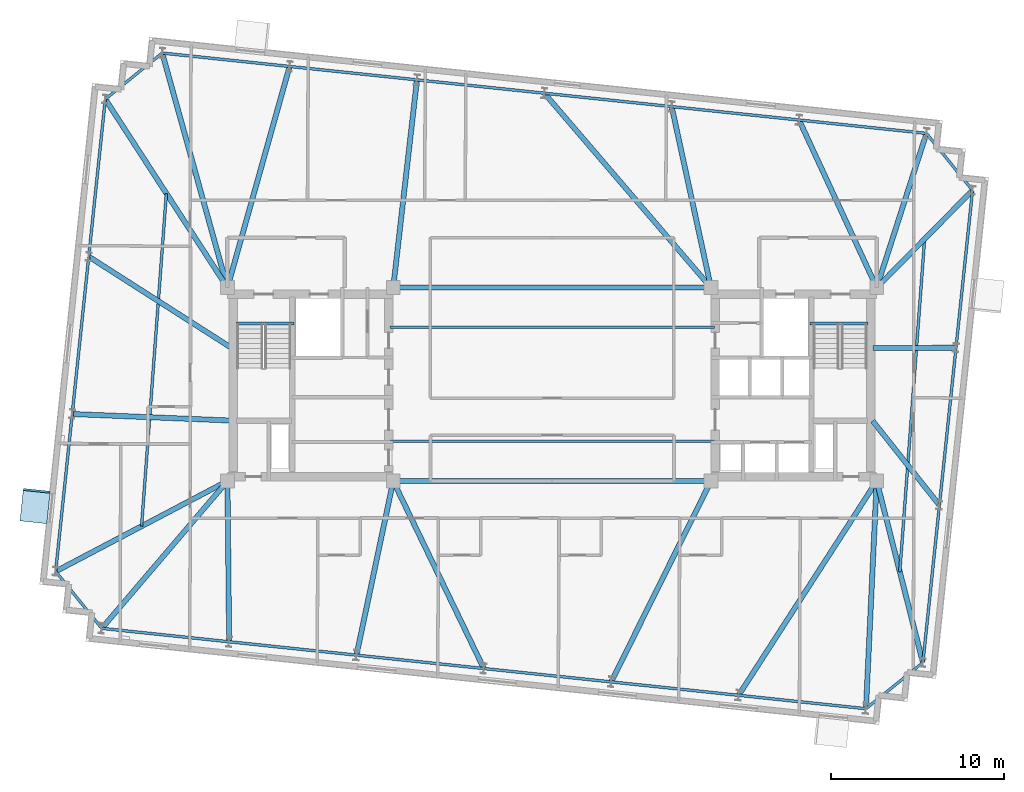
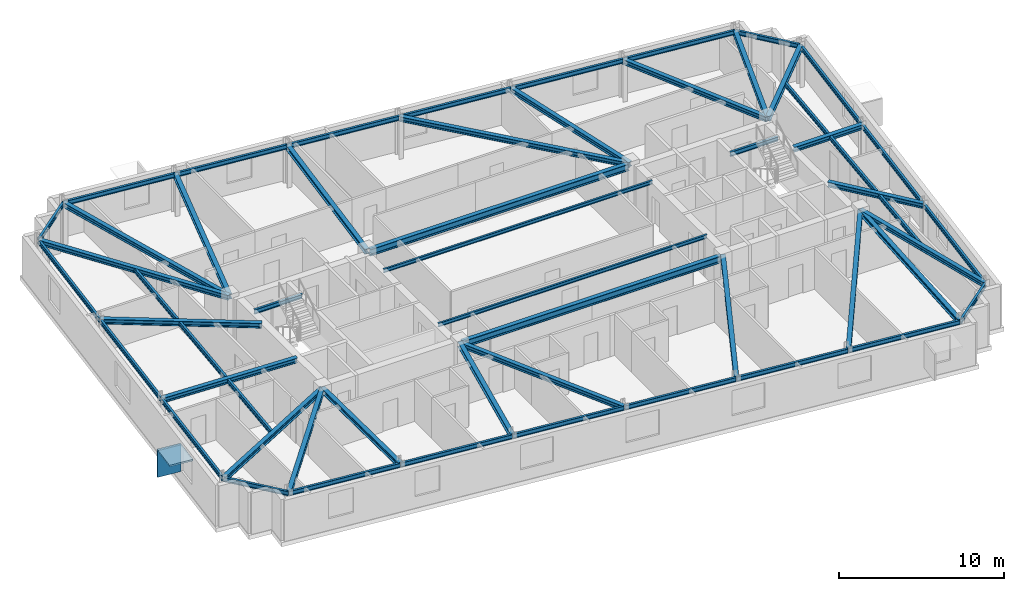
# One storey, part 4 of 11: 52 beams, 2 plates.
"""IFC4 building model written with IfcOpenShell, lengths in metres."""

from ifc_helpers import new_model, si_unit, direction, frame, origin, origin_2d, place, context, subcontext, project, spatial, rectangle, i_section, extrude, material, layer, layer_set, material_profile, profile_set, type_object, element, save


model = new_model("IFC4")

# Units and contexts
model_context = context("Model", 3, precision=1e-05, world=origin(), true_north=direction((0.0, 1.0)))
body_context = subcontext(model_context, "Body", "Model", "MODEL_VIEW")
ifc_project = project(units=[si_unit("LENGTHUNIT", "METRE"), si_unit("AREAUNIT", "SQUARE_METRE"), si_unit("VOLUMEUNIT", "CUBIC_METRE"), si_unit("PLANEANGLEUNIT", "RADIAN"), si_unit("MASSUNIT", "GRAM", prefix="KILO")], contexts=[model_context])

# Site, building, storey
site_placement = place(None, origin())
site = spatial("IfcSite", under=ifc_project, at=site_placement, CompositionType="ELEMENT")
building_placement = place(site_placement, origin())
building = spatial("IfcBuilding", under=site, at=building_placement, Name="Qobustan Lattice House", CompositionType="ELEMENT")
storey_placement = place(building_placement, frame((0.0, 0.0, 213.14990234375)))
storey = spatial("IfcBuildingStorey", under=building, at=storey_placement, Name="L60", CompositionType="ELEMENT", Elevation=213.14990234375)

# Beams
ifc_material_1 = material(Name="Steel S355", Category="steel")
ifc_material_profile_1 = material_profile(ifc_material_1, i_section(OverallWidth=0.300048828125, OverallDepth=0.5, WebThickness=0.014404296875, FlangeThickness=0.028076171875, FilletRadius=0.027099609375, at=origin_2d()), Name="HEB500")
ifc_profile_set_1 = profile_set([ifc_material_profile_1], Name="Steel S355")
beam_type_1 = type_object("IfcBeamType", Name="BM-CG-HEB500", PredefinedType="USERDEFINED", material=ifc_profile_set_1)
for number, where, z_axis, x_axis, name in (
    (1, (-9.050048828125, -5.60009765625, 2.7900390625), (1.0, 0.0, 0.0), (0.0, 1.0, 0.0), "L60 core spine girder CG-CS"),
    (2, (-9.050048828125, 5.60009765625, 2.7900390625), (1.0, 0.0, 0.0), (0.0, 1.0, 0.0), "L60 core spine girder CG-CN"),
):
    element("IfcBeam", number, at=place(storey_placement, frame(where, z_axis=z_axis, x_axis=x_axis)), inside=storey, type_object=beam_type_1, Name=name, ObjectType="GIRDER", PredefinedType="USERDEFINED", context=body_context, shape_type="SweptSolid", body=[
        extrude(i_section(OverallWidth=0.300048828125, OverallDepth=0.5, WebThickness=0.014404296875, FlangeThickness=0.028076171875, FilletRadius=0.027099609375, at=origin_2d()), origin(), (0.0, 0.0, 1.0), 18.10009765625),
    ])
ifc_material_2 = material(Name="Steel S355", Category="steel")
ifc_material_profile_2 = material_profile(ifc_material_2, i_section(OverallWidth=0.300048828125, OverallDepth=0.360107421875, WebThickness=0.012451171875, FlangeThickness=0.0224609375, FilletRadius=0.027099609375, at=origin_2d()), Name="HEB360")
ifc_profile_set_2 = profile_set([ifc_material_profile_2], Name="Steel S355")
beam_type_2 = type_object("IfcBeamType", Name="BM-FLG-HEB360", PredefinedType="USERDEFINED", material=ifc_profile_set_2)
beam_1_placement = place(storey_placement, frame((-26.062744140625, -14.113525390625, 2.860107421875), z_axis=(0.649006911642, 0.760782510736, 0.0), x_axis=(-0.760782510736, 0.649006911642, 0.0)))
element("IfcBeam", 3, at=beam_1_placement, inside=storey, type_object=beam_type_2, Name="L60 primary floor girder RAD-S1W", ObjectType="GIRDER", PredefinedType="USERDEFINED", context=body_context, shape_type="SweptSolid", body=[
    extrude(i_section(OverallWidth=0.300048828125, OverallDepth=0.360107421875, WebThickness=0.012451171875, FlangeThickness=0.0224609375, FilletRadius=0.027099609375, at=origin_2d()), origin(), (0.0, 0.0, 1.0), 11.16552734375),
])
beam_2_placement = place(storey_placement, frame((-18.703125, -14.8828125, 2.860107421875), z_axis=(-0.010442468578, 0.999945475939, 0.0), x_axis=(-0.999945475939, -0.010442468578, 0.0)))
element("IfcBeam", 4, at=beam_2_placement, inside=storey, type_object=beam_type_2, Name="L60 primary floor girder RAD-S2", ObjectType="GIRDER", PredefinedType="USERDEFINED", context=body_context, shape_type="SweptSolid", body=[
    extrude(i_section(OverallWidth=0.300048828125, OverallDepth=0.360107421875, WebThickness=0.012451171875, FlangeThickness=0.0224609375, FilletRadius=0.027099609375, at=origin_2d()), origin(), (0.0, 0.0, 1.0), 9.25830078125),
])
beam_3_placement = place(storey_placement, frame((-11.32177734375, -15.658447265625, 2.860107421875), z_axis=(0.206411213198, 0.978465334627, 0.0), x_axis=(-0.978465334627, 0.206411213198, 0.0)))
element("IfcBeam", 5, at=beam_3_placement, inside=storey, type_object=beam_type_2, Name="L60 primary floor girder RAD-S3", ObjectType="GIRDER", PredefinedType="USERDEFINED", context=body_context, shape_type="SweptSolid", body=[
    extrude(i_section(OverallWidth=0.300048828125, OverallDepth=0.360107421875, WebThickness=0.012451171875, FlangeThickness=0.0224609375, FilletRadius=0.027099609375, at=origin_2d()), origin(), (0.0, 0.0, 1.0), 10.2548828125),
])
beam_4_placement = place(storey_placement, frame((-3.9619140625, -16.435791015625, 2.860107421875), z_axis=(-0.435229353302, 0.900319615483, 0.0), x_axis=(-0.900319615483, -0.435229353302, 0.0)))
element("IfcBeam", 6, at=beam_4_placement, inside=storey, type_object=beam_type_2, Name="L60 primary floor girder RAD-S4", ObjectType="GIRDER", PredefinedType="USERDEFINED", context=body_context, shape_type="SweptSolid", body=[
    extrude(i_section(OverallWidth=0.300048828125, OverallDepth=0.360107421875, WebThickness=0.012451171875, FlangeThickness=0.0224609375, FilletRadius=0.027099609375, at=origin_2d()), origin(), (0.0, 0.0, 1.0), 12.010498046875),
])
beam_5_placement = place(storey_placement, frame((3.436279296875, -17.211181640625, 2.860107421875), z_axis=(0.444630337125, 0.895714163843, 0.0), x_axis=(-0.895714163843, 0.444630337125, 0.0)))
element("IfcBeam", 7, at=beam_5_placement, inside=storey, type_object=beam_type_2, Name="L60 primary floor girder RAD-S5", ObjectType="GIRDER", PredefinedType="USERDEFINED", context=body_context, shape_type="SweptSolid", body=[
    extrude(i_section(OverallWidth=0.300048828125, OverallDepth=0.360107421875, WebThickness=0.012451171875, FlangeThickness=0.0224609375, FilletRadius=0.027099609375, at=origin_2d()), origin(), (0.0, 0.0, 1.0), 12.938232421875),
])
beam_6_placement = place(storey_placement, frame((10.814697265625, -17.98779296875, 2.860107421875), z_axis=(0.541810491961, 0.840500678644, 0.0), x_axis=(-0.840500678644, 0.541810491961, 0.0)))
element("IfcBeam", 8, at=beam_6_placement, inside=storey, type_object=beam_type_2, Name="L60 primary floor girder RAD-S6", ObjectType="GIRDER", PredefinedType="USERDEFINED", context=body_context, shape_type="SweptSolid", body=[
    extrude(i_section(OverallWidth=0.300048828125, OverallDepth=0.360107421875, WebThickness=0.012451171875, FlangeThickness=0.0224609375, FilletRadius=0.027099609375, at=origin_2d()), origin(), (0.0, 0.0, 1.0), 14.71337890625),
])
beam_7_placement = place(storey_placement, frame((18.178466796875, -18.759033203125, 2.860107421875), z_axis=(0.047180517312, 0.998886379318, 0.0), x_axis=(-0.998886379318, 0.047180517312, 0.0)))
element("IfcBeam", 9, at=beam_7_placement, inside=storey, type_object=beam_type_2, Name="L60 primary floor girder RAD-S7E", ObjectType="GIRDER", PredefinedType="USERDEFINED", context=body_context, shape_type="SweptSolid", body=[
    extrude(i_section(OverallWidth=0.300048828125, OverallDepth=0.360107421875, WebThickness=0.012451171875, FlangeThickness=0.0224609375, FilletRadius=0.027099609375, at=origin_2d()), origin(), (0.0, 0.0, 1.0), 13.148681640625),
])
beam_8_placement = place(storey_placement, frame((-22.570556640625, 19.159912109375, 2.860107421875), z_axis=(0.267904661715, -0.963445427739, 0.0), x_axis=(0.963445427739, 0.267904661715, 0.0)))
element("IfcBeam", 10, at=beam_8_placement, inside=storey, type_object=beam_type_2, Name="L60 primary floor girder RAD-N7W", ObjectType="GIRDER", PredefinedType="USERDEFINED", context=body_context, shape_type="SweptSolid", body=[
    extrude(i_section(OverallWidth=0.300048828125, OverallDepth=0.360107421875, WebThickness=0.012451171875, FlangeThickness=0.0224609375, FilletRadius=0.027099609375, at=origin_2d()), origin(), (0.0, 0.0, 1.0), 14.049560546875),
])
beam_9_placement = place(storey_placement, frame((-15.2080078125, 18.384521484375, 2.860107421875), z_axis=(-0.270487929903, -0.962723366174, 0.0), x_axis=(0.962723366174, -0.270487929903, 0.0)))
element("IfcBeam", 11, at=beam_9_placement, inside=storey, type_object=beam_type_2, Name="L60 primary floor girder RAD-N6", ObjectType="GIRDER", PredefinedType="USERDEFINED", context=body_context, shape_type="SweptSolid", body=[
    extrude(i_section(OverallWidth=0.300048828125, OverallDepth=0.360107421875, WebThickness=0.012451171875, FlangeThickness=0.0224609375, FilletRadius=0.027099609375, at=origin_2d()), origin(), (0.0, 0.0, 1.0), 13.254638671875),
])
beam_10_placement = place(storey_placement, frame((-7.827880859375, 17.608642578125, 2.860107421875), z_axis=(-0.11353003651, -0.993534564477, 0.0), x_axis=(0.993534564477, -0.11353003651, 0.0)))
element("IfcBeam", 12, at=beam_10_placement, inside=storey, type_object=beam_type_2, Name="L60 primary floor girder RAD-N5", ObjectType="GIRDER", PredefinedType="USERDEFINED", context=body_context, shape_type="SweptSolid", body=[
    extrude(i_section(OverallWidth=0.300048828125, OverallDepth=0.360107421875, WebThickness=0.012451171875, FlangeThickness=0.0224609375, FilletRadius=0.027099609375, at=origin_2d()), origin(), (0.0, 0.0, 1.0), 12.061767578125),
])
beam_11_placement = place(storey_placement, frame((-0.432861328125, 16.839111328125, 2.860107421875), z_axis=(0.650757358368, -0.759285756833, 0.0), x_axis=(0.759285756833, 0.650757358368, 0.0)))
element("IfcBeam", 13, at=beam_11_placement, inside=storey, type_object=beam_type_2, Name="L60 primary floor girder RAD-N4", ObjectType="GIRDER", PredefinedType="USERDEFINED", context=body_context, shape_type="SweptSolid", body=[
    extrude(i_section(OverallWidth=0.300048828125, OverallDepth=0.360107421875, WebThickness=0.012451171875, FlangeThickness=0.0224609375, FilletRadius=0.027099609375, at=origin_2d()), origin(), (0.0, 0.0, 1.0), 14.77734375),
])
beam_12_placement = place(storey_placement, frame((6.93212890625, 16.05859375, 2.860107421875), z_axis=(0.211908420044, -0.977289527988, 0.0), x_axis=(0.977289527988, 0.211908420044, 0.0)))
element("IfcBeam", 14, at=beam_12_placement, inside=storey, type_object=beam_type_2, Name="L60 primary floor girder RAD-N3", ObjectType="GIRDER", PredefinedType="USERDEFINED", context=body_context, shape_type="SweptSolid", body=[
    extrude(i_section(OverallWidth=0.300048828125, OverallDepth=0.360107421875, WebThickness=0.012451171875, FlangeThickness=0.0224609375, FilletRadius=0.027099609375, at=origin_2d()), origin(), (0.0, 0.0, 1.0), 10.676513671875),
])
beam_13_placement = place(storey_placement, frame((14.3134765625, 15.284912109375, 2.860107421875), z_axis=(0.420345924661, -0.907363931188, 0.0), x_axis=(0.907363931188, 0.420345924661, 0.0)))
element("IfcBeam", 15, at=beam_13_placement, inside=storey, type_object=beam_type_2, Name="L60 primary floor girder RAD-N2", ObjectType="GIRDER", PredefinedType="USERDEFINED", context=body_context, shape_type="SweptSolid", body=[
    extrude(i_section(OverallWidth=0.300048828125, OverallDepth=0.360107421875, WebThickness=0.012451171875, FlangeThickness=0.0224609375, FilletRadius=0.027099609375, at=origin_2d()), origin(), (0.0, 0.0, 1.0), 10.6484375),
])
beam_14_placement = place(storey_placement, frame((21.67138671875, 14.5087890625, 2.860107421875), z_axis=(-0.306773532579, -0.951782538035, 0.0), x_axis=(0.951782538035, -0.306773532579, 0.0)))
element("IfcBeam", 16, at=beam_14_placement, inside=storey, type_object=beam_type_2, Name="L60 primary floor girder RAD-N1E", ObjectType="GIRDER", PredefinedType="USERDEFINED", context=body_context, shape_type="SweptSolid", body=[
    extrude(i_section(OverallWidth=0.300048828125, OverallDepth=0.360107421875, WebThickness=0.012451171875, FlangeThickness=0.0224609375, FilletRadius=0.027099609375, at=origin_2d()), origin(), (0.0, 0.0, 1.0), 9.335205078125),
])
beam_15_placement = place(storey_placement, frame((-25.86083984375, 16.492919921875, 2.860107421875), z_axis=(0.543926170046, -0.839133077371, 0.0), x_axis=(0.839133077371, 0.543926170046, 0.0)))
element("IfcBeam", 17, at=beam_15_placement, inside=storey, type_object=beam_type_2, Name="L60 primary floor girder RAD-W1", ObjectType="GIRDER", PredefinedType="USERDEFINED", context=body_context, shape_type="SweptSolid", body=[
    extrude(i_section(OverallWidth=0.300048828125, OverallDepth=0.360107421875, WebThickness=0.012451171875, FlangeThickness=0.0224609375, FilletRadius=0.027099609375, at=origin_2d()), origin(), (0.0, 0.0, 1.0), 12.9560546875),
])
beam_16_placement = place(storey_placement, frame((-26.8115234375, 7.384033203125, 2.860107421875), z_axis=(0.842429105495, -0.538807203195, 0.0), x_axis=(0.538807203195, 0.842429105495, 0.0)))
element("IfcBeam", 18, at=beam_16_placement, inside=storey, type_object=beam_type_2, Name="L60 primary floor girder RAD-W2", ObjectType="GIRDER", PredefinedType="USERDEFINED", context=body_context, shape_type="SweptSolid", body=[
    extrude(i_section(OverallWidth=0.300048828125, OverallDepth=0.360107421875, WebThickness=0.012451171875, FlangeThickness=0.0224609375, FilletRadius=0.027099609375, at=origin_2d()), origin(), (0.0, 0.0, 1.0), 9.78173828125),
])
beam_17_placement = place(storey_placement, frame((-27.765869140625, -1.719970703125, 2.860107421875), z_axis=(0.999150190925, -0.041217665795, 0.0), x_axis=(0.041217665795, 0.999150190925, 0.0)))
element("IfcBeam", 19, at=beam_17_placement, inside=storey, type_object=beam_type_2, Name="L60 primary floor girder RAD-W3", ObjectType="GIRDER", PredefinedType="USERDEFINED", context=body_context, shape_type="SweptSolid", body=[
    extrude(i_section(OverallWidth=0.300048828125, OverallDepth=0.360107421875, WebThickness=0.012451171875, FlangeThickness=0.0224609375, FilletRadius=0.027099609375, at=origin_2d()), origin(), (0.0, 0.0, 1.0), 9.19873046875),
])
beam_18_placement = place(storey_placement, frame((-28.726806640625, -10.82373046875, 2.860107421875), z_axis=(0.884950868639, 0.465684399669, 0.0), x_axis=(-0.465684399669, 0.884950868639, 0.0)))
element("IfcBeam", 20, at=beam_18_placement, inside=storey, type_object=beam_type_2, Name="L60 primary floor girder RAD-W4", ObjectType="GIRDER", PredefinedType="USERDEFINED", context=body_context, shape_type="SweptSolid", body=[
    extrude(i_section(OverallWidth=0.300048828125, OverallDepth=0.360107421875, WebThickness=0.012451171875, FlangeThickness=0.0224609375, FilletRadius=0.027099609375, at=origin_2d()), origin(), (0.0, 0.0, 1.0), 11.1923828125),
])
beam_19_placement = place(storey_placement, frame((24.331298828125, 11.217529296875, 2.860107421875), z_axis=(-0.701633616284, -0.712537906712, 0.0), x_axis=(0.712537906712, -0.701633616284, 0.0)))
element("IfcBeam", 21, at=beam_19_placement, inside=storey, type_object=beam_type_2, Name="L60 primary floor girder RAD-E4", ObjectType="GIRDER", PredefinedType="USERDEFINED", context=body_context, shape_type="SweptSolid", body=[
    extrude(i_section(OverallWidth=0.300048828125, OverallDepth=0.360107421875, WebThickness=0.012451171875, FlangeThickness=0.0224609375, FilletRadius=0.027099609375, at=origin_2d()), origin(), (0.0, 0.0, 1.0), 7.858642578125),
])
beam_20_placement = place(storey_placement, frame((23.36572265625, 2.118896484375, 2.860107421875), z_axis=(-0.999992301331, -0.003923936564, 0.0), x_axis=(0.003923936564, -0.999992301331, 0.0)))
element("IfcBeam", 22, at=beam_20_placement, inside=storey, type_object=beam_type_2, Name="L60 primary floor girder RAD-E3", ObjectType="GIRDER", PredefinedType="USERDEFINED", context=body_context, shape_type="SweptSolid", body=[
    extrude(i_section(OverallWidth=0.300048828125, OverallDepth=0.360107421875, WebThickness=0.012451171875, FlangeThickness=0.0224609375, FilletRadius=0.027099609375, at=origin_2d()), origin(), (0.0, 0.0, 1.0), 4.790771484375),
])
beam_21_placement = place(storey_placement, frame((22.4169921875, -6.97802734375, 2.860107421875), z_axis=(-0.621231320857, 0.783627236629, 0.0), x_axis=(-0.783627236629, -0.621231320857, 0.0)))
element("IfcBeam", 23, at=beam_21_placement, inside=storey, type_object=beam_type_2, Name="L60 primary floor girder RAD-E2", ObjectType="GIRDER", PredefinedType="USERDEFINED", context=body_context, shape_type="SweptSolid", body=[
    extrude(i_section(OverallWidth=0.300048828125, OverallDepth=0.360107421875, WebThickness=0.012451171875, FlangeThickness=0.0224609375, FilletRadius=0.027099609375, at=origin_2d()), origin(), (0.0, 0.0, 1.0), 6.199951171875),
])
beam_22_placement = place(storey_placement, frame((21.46826171875, -16.08984375, 2.860107421875), z_axis=(-0.246517911643, 0.969138235361, 0.0), x_axis=(-0.969138235361, -0.246517911643, 0.0)))
element("IfcBeam", 24, at=beam_22_placement, inside=storey, type_object=beam_type_2, Name="L60 primary floor girder RAD-E1", ObjectType="GIRDER", PredefinedType="USERDEFINED", context=body_context, shape_type="SweptSolid", body=[
    extrude(i_section(OverallWidth=0.300048828125, OverallDepth=0.360107421875, WebThickness=0.012451171875, FlangeThickness=0.0224609375, FilletRadius=0.027099609375, at=origin_2d()), origin(), (0.0, 0.0, 1.0), 10.798828125),
])
ifc_material_3 = material(Name="Steel S355", Category="steel")
ifc_material_profile_3 = material_profile(ifc_material_3, i_section(OverallWidth=0.135009765625, OverallDepth=0.27001953125, WebThickness=0.006591796875, FlangeThickness=0.01025390625, FilletRadius=0.014892578125, at=origin_2d()), Name="IPE270")
ifc_profile_set_3 = profile_set([ifc_material_profile_3], Name="Steel S355")
beam_type_3 = type_object("IfcBeamType", Name="BM-JST-IPE270", PredefinedType="JOIST", material=ifc_profile_set_3)
for number, where, z_axis, x_axis, name in (
    (25, (-9.39990234375, -3.300048828125, 2.905029296875), (1.0, 0.0, 0.0), (0.0, 1.0, 0.0), "L60 central span floor joist 1"),
    (26, (-9.39990234375, 3.300048828125, 2.905029296875), (1.0, 0.0, 0.0), (0.0, 1.0, 0.0), "L60 central span floor joist 2"),
):
    element("IfcBeam", number, at=place(storey_placement, frame(where, z_axis=z_axis, x_axis=x_axis)), inside=storey, type_object=beam_type_3, Name=name, PredefinedType="JOIST", context=body_context, shape_type="SweptSolid", body=[
        extrude(i_section(OverallWidth=0.135009765625, OverallDepth=0.27001953125, WebThickness=0.006591796875, FlangeThickness=0.01025390625, FilletRadius=0.014892578125, at=origin_2d()), origin(), (0.0, 0.0, 1.0), 18.7998046875),
    ])
ifc_material_4 = material(Name="Steel S355", Category="steel")
ifc_material_profile_4 = material_profile(ifc_material_4, i_section(OverallWidth=0.159912109375, OverallDepth=0.330078125, WebThickness=0.007568359375, FlangeThickness=0.011474609375, FilletRadius=0.01806640625, at=origin_2d()), Name="IPE330")
ifc_profile_set_4 = profile_set([ifc_material_profile_4], Name="Steel S355")
beam_type_4 = type_object("IfcBeamType", Name="BM-SEC-IPE330", PredefinedType="BEAM", material=ifc_profile_set_4)
beam_23_placement = place(storey_placement, frame((-22.337158203125, 11.056884765625, 2.875), z_axis=(-0.074361616657, -0.997231342251, 0.0), x_axis=(0.997231342251, -0.074361616657, 0.0)))
element("IfcBeam", 27, at=beam_23_placement, inside=storey, type_object=beam_type_4, Name="L60 west wing secondary beam", PredefinedType="BEAM", context=body_context, shape_type="SweptSolid", body=[
    extrude(i_section(OverallWidth=0.159912109375, OverallDepth=0.330078125, WebThickness=0.007568359375, FlangeThickness=0.011474609375, FilletRadius=0.01806640625, at=origin_2d()), origin(), (0.0, 0.0, 1.0), 19.327880859375),
])
beam_24_placement = place(storey_placement, frame((21.574462890625, 8.417724609375, 2.875), z_axis=(-0.074360679971, -0.997231412098, 0.0), x_axis=(0.997231412098, -0.074360679971, 0.0)))
element("IfcBeam", 28, at=beam_24_placement, inside=storey, type_object=beam_type_4, Name="L60 east wing secondary beam", PredefinedType="BEAM", context=body_context, shape_type="SweptSolid", body=[
    extrude(i_section(OverallWidth=0.159912109375, OverallDepth=0.330078125, WebThickness=0.007568359375, FlangeThickness=0.011474609375, FilletRadius=0.01806640625, at=origin_2d()), origin(), (0.0, 0.0, 1.0), 19.328125),
])
ifc_material_5 = material(Name="Steel S355", Category="steel")
ifc_material_profile_5 = material_profile(ifc_material_5, i_section(OverallWidth=0.159912109375, OverallDepth=0.330078125, WebThickness=0.007568359375, FlangeThickness=0.011474609375, FilletRadius=0.01806640625, at=origin_2d()), Name="IPE330")
ifc_profile_set_5 = profile_set([ifc_material_profile_5], Name="Steel S355")
beam_type_5 = type_object("IfcBeamType", Name="BM-SPD-IPE330", PredefinedType="SPANDREL", material=ifc_profile_set_5)
for number, where, z_axis, x_axis, name in (
    (29, (-18.300048828125, 3.52001953125, 2.875), (1.0, 0.0, 0.0), (0.0, 1.0, 0.0), "L60 west stair landing trimmer beam"),
    (30, (14.949951171875, 3.52001953125, 2.875), (1.0, 0.0, 0.0), (0.0, 1.0, 0.0), "L60 east stair landing trimmer beam"),
):
    element("IfcBeam", number, at=place(storey_placement, frame(where, z_axis=z_axis, x_axis=x_axis)), inside=storey, type_object=beam_type_5, Name=name, PredefinedType="SPANDREL", context=body_context, shape_type="SweptSolid", body=[
        extrude(i_section(OverallWidth=0.159912109375, OverallDepth=0.330078125, WebThickness=0.007568359375, FlangeThickness=0.011474609375, FilletRadius=0.01806640625, at=origin_2d()), origin(), (0.0, 0.0, 1.0), 3.35009765625),
    ])
beam_25_placement = place(storey_placement, frame((-26.05419921875, -14.135009765625, 2.875), z_axis=(0.99452214685, -0.104526070551, 0.0), x_axis=(0.104526070551, 0.99452214685, 0.0)))
element("IfcBeam", 31, at=beam_25_placement, inside=storey, type_object=beam_type_5, Name="L60 perimeter spandrel S1-S2", PredefinedType="SPANDREL", context=body_context, shape_type="SweptSolid", body=[
    extrude(i_section(OverallWidth=0.159912109375, OverallDepth=0.330078125, WebThickness=0.007568359375, FlangeThickness=0.011474609375, FilletRadius=0.01806640625, at=origin_2d()), origin(), (0.0, 0.0, 1.0), 7.36669921875),
])
for number, where, z_axis, x_axis, name in (
    (32, (-18.677978515625, -14.910400390625, 2.875), (0.994521784746, -0.104529515765, 0.0), (0.104529515765, 0.994521784746, 0.0), "L60 perimeter spandrel S2-S3"),
    (33, (-11.302001953125, -15.685546875, 2.875), (0.994521784746, -0.104529515765, 0.0), (0.104529515765, 0.994521784746, 0.0), "L60 perimeter spandrel S3-S4"),
):
    element("IfcBeam", number, at=place(storey_placement, frame(where, z_axis=z_axis, x_axis=x_axis)), inside=storey, type_object=beam_type_5, Name=name, PredefinedType="SPANDREL", context=body_context, shape_type="SweptSolid", body=[
        extrude(i_section(OverallWidth=0.159912109375, OverallDepth=0.330078125, WebThickness=0.007568359375, FlangeThickness=0.011474609375, FilletRadius=0.01806640625, at=origin_2d()), origin(), (0.0, 0.0, 1.0), 7.366455078125),
    ])
beam_26_placement = place(storey_placement, frame((-3.926025390625, -16.460693359375, 2.875), z_axis=(0.99451870122, -0.10455884909, 0.0), x_axis=(0.10455884909, 0.99451870122, 0.0)))
element("IfcBeam", 34, at=beam_26_placement, inside=storey, type_object=beam_type_5, Name="L60 perimeter spandrel S4-S5", PredefinedType="SPANDREL", context=body_context, shape_type="SweptSolid", body=[
    extrude(i_section(OverallWidth=0.159912109375, OverallDepth=0.330078125, WebThickness=0.007568359375, FlangeThickness=0.011474609375, FilletRadius=0.01806640625, at=origin_2d()), origin(), (0.0, 0.0, 1.0), 7.36669921875),
])
for number, where, z_axis, x_axis, name in (
    (35, (3.4501953125, -17.236083984375, 2.875), (0.994521784746, -0.104529515765, 0.0), (0.104529515765, 0.994521784746, 0.0), "L60 perimeter spandrel S5-S6"),
    (36, (10.826171875, -18.01123046875, 2.875), (0.99451833889, -0.104562295361, 0.0), (0.104562295361, 0.99451833889, 0.0), "L60 perimeter spandrel S6-S7"),
):
    element("IfcBeam", number, at=place(storey_placement, frame(where, z_axis=z_axis, x_axis=x_axis)), inside=storey, type_object=beam_type_5, Name=name, PredefinedType="SPANDREL", context=body_context, shape_type="SweptSolid", body=[
        extrude(i_section(OverallWidth=0.159912109375, OverallDepth=0.330078125, WebThickness=0.007568359375, FlangeThickness=0.011474609375, FilletRadius=0.01806640625, at=origin_2d()), origin(), (0.0, 0.0, 1.0), 7.366455078125),
    ])
beam_27_placement = place(storey_placement, frame((18.19677734375, -18.768310546875, 2.875), z_axis=(0.777128239225, 0.629342275554, 0.0), x_axis=(-0.629342275554, 0.777128239225, 0.0)))
element("IfcBeam", 37, at=beam_27_placement, inside=storey, type_object=beam_type_5, Name="L60 perimeter spandrel S7-E1", PredefinedType="SPANDREL", context=body_context, shape_type="SweptSolid", body=[
    extrude(i_section(OverallWidth=0.159912109375, OverallDepth=0.330078125, WebThickness=0.007568359375, FlangeThickness=0.011474609375, FilletRadius=0.01806640625, at=origin_2d()), origin(), (0.0, 0.0, 1.0), 4.192626953125),
])
for number, where, z_axis, x_axis, name in (
    (38, (21.47705078125, -16.089111328125, 2.875), (0.10452168293, 0.994522607987, 0.0), (-0.994522607987, 0.10452168293, 0.0), "L60 perimeter spandrel E1-E2"),
    (39, (22.435302734375, -6.97265625, 2.875), (0.10452168293, 0.994522607987, 0.0), (-0.994522607987, 0.10452168293, 0.0), "L60 perimeter spandrel E2-E3"),
    (40, (23.393310546875, 2.143798828125, 2.875), (0.10452168293, 0.994522607987, 0.0), (-0.994522607987, 0.10452168293, 0.0), "L60 perimeter spandrel E3-E4"),
):
    element("IfcBeam", number, at=place(storey_placement, frame(where, z_axis=z_axis, x_axis=x_axis)), inside=storey, type_object=beam_type_5, Name=name, PredefinedType="SPANDREL", context=body_context, shape_type="SweptSolid", body=[
        extrude(i_section(OverallWidth=0.159912109375, OverallDepth=0.330078125, WebThickness=0.007568359375, FlangeThickness=0.011474609375, FilletRadius=0.01806640625, at=origin_2d()), origin(), (0.0, 0.0, 1.0), 9.11669921875),
    ])
beam_28_placement = place(storey_placement, frame((24.333251953125, 11.254638671875, 2.875), z_axis=(-0.629313797654, 0.777151300637, 0.0), x_axis=(-0.777151300637, -0.629313797654, 0.0)))
element("IfcBeam", 41, at=beam_28_placement, inside=storey, type_object=beam_type_5, Name="L60 perimeter spandrel E4-N1", PredefinedType="SPANDREL", context=body_context, shape_type="SweptSolid", body=[
    extrude(i_section(OverallWidth=0.159912109375, OverallDepth=0.330078125, WebThickness=0.007568359375, FlangeThickness=0.011474609375, FilletRadius=0.01806640625, at=origin_2d()), origin(), (0.0, 0.0, 1.0), 4.19287109375),
])
for number, where, z_axis, x_axis, name in (
    (42, (21.654052734375, 14.53515625, 2.875), (-0.994521784746, 0.104529515765, 0.0), (-0.104529515765, -0.994521784746, 0.0), "L60 perimeter spandrel N1-N2"),
    (43, (14.278076171875, 15.310302734375, 2.875), (-0.994521784746, 0.104529515765, 0.0), (-0.104529515765, -0.994521784746, 0.0), "L60 perimeter spandrel N2-N3"),
):
    element("IfcBeam", number, at=place(storey_placement, frame(where, z_axis=z_axis, x_axis=x_axis)), inside=storey, type_object=beam_type_5, Name=name, PredefinedType="SPANDREL", context=body_context, shape_type="SweptSolid", body=[
        extrude(i_section(OverallWidth=0.159912109375, OverallDepth=0.330078125, WebThickness=0.007568359375, FlangeThickness=0.011474609375, FilletRadius=0.01806640625, at=origin_2d()), origin(), (0.0, 0.0, 1.0), 7.366455078125),
    ])
beam_29_placement = place(storey_placement, frame((6.902099609375, 16.085693359375, 2.875), z_axis=(-0.99452214685, 0.104526070551, 0.0), x_axis=(-0.104526070551, -0.99452214685, 0.0)))
element("IfcBeam", 44, at=beam_29_placement, inside=storey, type_object=beam_type_5, Name="L60 perimeter spandrel N3-N4", PredefinedType="SPANDREL", context=body_context, shape_type="SweptSolid", body=[
    extrude(i_section(OverallWidth=0.159912109375, OverallDepth=0.330078125, WebThickness=0.007568359375, FlangeThickness=0.011474609375, FilletRadius=0.01806640625, at=origin_2d()), origin(), (0.0, 0.0, 1.0), 7.36669921875),
])
for number, where, z_axis, x_axis, name in (
    (45, (-0.47412109375, 16.86083984375, 2.875), (-0.994521784746, 0.104529515765, 0.0), (-0.104529515765, -0.994521784746, 0.0), "L60 perimeter spandrel N4-N5"),
    (46, (-7.85009765625, 17.635986328125, 2.875), (-0.994521784746, 0.104529515765, 0.0), (-0.104529515765, -0.994521784746, 0.0), "L60 perimeter spandrel N5-N6"),
):
    element("IfcBeam", number, at=place(storey_placement, frame(where, z_axis=z_axis, x_axis=x_axis)), inside=storey, type_object=beam_type_5, Name=name, PredefinedType="SPANDREL", context=body_context, shape_type="SweptSolid", body=[
        extrude(i_section(OverallWidth=0.159912109375, OverallDepth=0.330078125, WebThickness=0.007568359375, FlangeThickness=0.011474609375, FilletRadius=0.01806640625, at=origin_2d()), origin(), (0.0, 0.0, 1.0), 7.366455078125),
    ])
beam_30_placement = place(storey_placement, frame((-15.22607421875, 18.411376953125, 2.875), z_axis=(-0.99452214685, 0.104526070551, 0.0), x_axis=(-0.104526070551, -0.99452214685, 0.0)))
element("IfcBeam", 47, at=beam_30_placement, inside=storey, type_object=beam_type_5, Name="L60 perimeter spandrel N6-N7", PredefinedType="SPANDREL", context=body_context, shape_type="SweptSolid", body=[
    extrude(i_section(OverallWidth=0.159912109375, OverallDepth=0.330078125, WebThickness=0.007568359375, FlangeThickness=0.011474609375, FilletRadius=0.01806640625, at=origin_2d()), origin(), (0.0, 0.0, 1.0), 7.36669921875),
])
beam_31_placement = place(storey_placement, frame((-22.5966796875, 19.168212890625, 2.875), z_axis=(-0.777156718239, -0.629307107299, 0.0), x_axis=(0.629307107299, -0.777156718239, 0.0)))
element("IfcBeam", 48, at=beam_31_placement, inside=storey, type_object=beam_type_5, Name="L60 perimeter spandrel N7-W1", PredefinedType="SPANDREL", context=body_context, shape_type="SweptSolid", body=[
    extrude(i_section(OverallWidth=0.159912109375, OverallDepth=0.330078125, WebThickness=0.007568359375, FlangeThickness=0.011474609375, FilletRadius=0.01806640625, at=origin_2d()), origin(), (0.0, 0.0, 1.0), 4.192626953125),
])
beam_32_placement = place(storey_placement, frame((-25.876953125, 16.489013671875, 2.875), z_axis=(-0.104550954592, -0.994519531178, 0.0), x_axis=(0.994519531178, -0.104550954592, 0.0)))
element("IfcBeam", 49, at=beam_32_placement, inside=storey, type_object=beam_type_5, Name="L60 perimeter spandrel W1-W2", PredefinedType="SPANDREL", context=body_context, shape_type="SweptSolid", body=[
    extrude(i_section(OverallWidth=0.159912109375, OverallDepth=0.330078125, WebThickness=0.007568359375, FlangeThickness=0.011474609375, FilletRadius=0.01806640625, at=origin_2d()), origin(), (0.0, 0.0, 1.0), 9.116455078125),
])
beam_33_placement = place(storey_placement, frame((-26.835205078125, 7.372802734375, 2.875), z_axis=(-0.104518899262, -0.994522900539, 0.0), x_axis=(0.994522900539, -0.104518899262, 0.0)))
element("IfcBeam", 50, at=beam_33_placement, inside=storey, type_object=beam_type_5, Name="L60 perimeter spandrel W2-W3", PredefinedType="SPANDREL", context=body_context, shape_type="SweptSolid", body=[
    extrude(i_section(OverallWidth=0.159912109375, OverallDepth=0.330078125, WebThickness=0.007568359375, FlangeThickness=0.011474609375, FilletRadius=0.01806640625, at=origin_2d()), origin(), (0.0, 0.0, 1.0), 9.116943359375),
])
beam_34_placement = place(storey_placement, frame((-27.79345703125, -1.743896484375, 2.875), z_axis=(-0.104524466745, -0.994522315412, 0.0), x_axis=(0.994522315412, -0.104524466745, 0.0)))
element("IfcBeam", 51, at=beam_34_placement, inside=storey, type_object=beam_type_5, Name="L60 perimeter spandrel W3-W4", PredefinedType="SPANDREL", context=body_context, shape_type="SweptSolid", body=[
    extrude(i_section(OverallWidth=0.159912109375, OverallDepth=0.330078125, WebThickness=0.007568359375, FlangeThickness=0.011474609375, FilletRadius=0.01806640625, at=origin_2d()), origin(), (0.0, 0.0, 1.0), 9.116455078125),
])
beam_35_placement = place(storey_placement, frame((-28.733154296875, -10.854736328125, 2.875), z_axis=(0.629307107299, -0.777156718239, 0.0), x_axis=(0.777156718239, 0.629307107299, 0.0)))
element("IfcBeam", 52, at=beam_35_placement, inside=storey, type_object=beam_type_5, Name="L60 perimeter spandrel W4-S1", PredefinedType="SPANDREL", context=body_context, shape_type="SweptSolid", body=[
    extrude(i_section(OverallWidth=0.159912109375, OverallDepth=0.330078125, WebThickness=0.007568359375, FlangeThickness=0.011474609375, FilletRadius=0.01806640625, at=origin_2d()), origin(), (0.0, 0.0, 1.0), 4.192626953125),
])

# Plates
ifc_material_6 = material(Name="Qobustan limestone GFRC", Category="masonry")
ifc_layer = layer(ifc_material_6, 0.1201171875)
ifc_layer_set = layer_set([ifc_layer], Name="Qobustan limestone GFRC")
plate_type = type_object("IfcPlateType", Name="SHD-HOOD-BROW", PredefinedType="USERDEFINED", material=ifc_layer_set)
plate_1_placement = place(storey_placement, frame((-29.939697265625, -7.048095703125, 2.699951171875), z_axis=(0.0, 0.0, 1.0), x_axis=(0.104528463268, 0.994521895368, 0.0)))
element("IfcPlate", 53, at=plate_1_placement, inside=storey, type_object=plate_type, Name="L60 splayed Qobustan stone hood brow", ObjectType="SUNSHADE", PredefinedType="USERDEFINED", context=body_context, shape_type="SweptSolid", body=[
    extrude(rectangle(XDim=1.889892578125, YDim=1.56005859375, at=origin_2d()), origin(), (0.0, 0.0, 1.0), 0.1201171875),
])
plate_2_placement = place(storey_placement, frame((-29.84716796875, -6.16796875, 0.7900390625), z_axis=(0.0, 0.0, 1.0), x_axis=(0.104528463268, 0.994521895368, 0.0)))
element("IfcPlate", 54, at=plate_2_placement, inside=storey, type_object=plate_type, Name="L60 splayed Qobustan stone hood cheek", ObjectType="SUNSHADE", PredefinedType="USERDEFINED", context=body_context, shape_type="SweptSolid", body=[
    extrude(rectangle(XDim=0.1201171875, YDim=1.56005859375, at=origin_2d()), origin(), (0.0, 0.0, 1.0), 1.969970703125),
])

save(model, "model.ifc")
